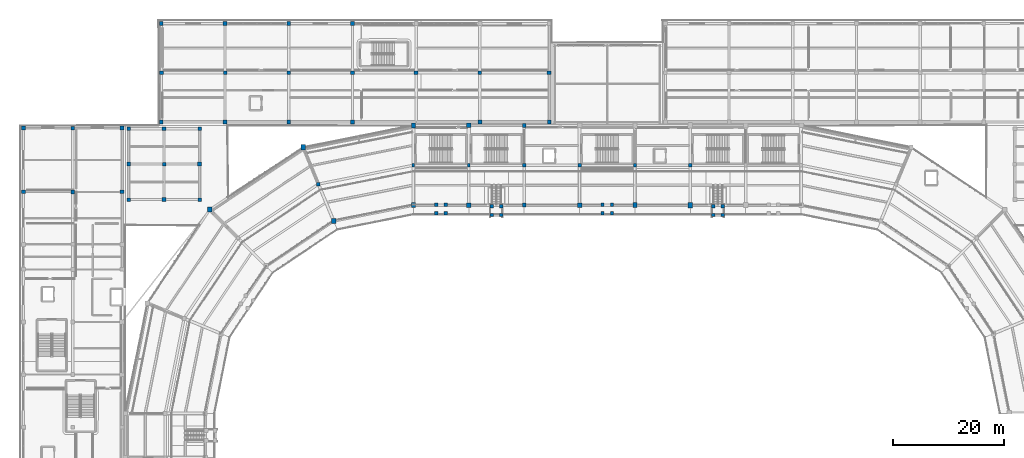
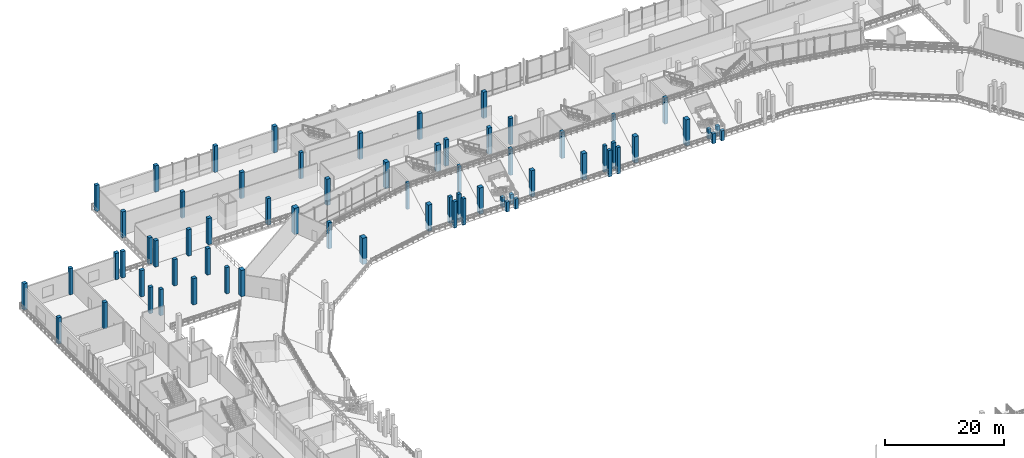
# One storey, part 6 of 127: 67 columns.
"""IFC4 building model written with IfcOpenShell, lengths in metres."""

from ifc_helpers import new_model, si_unit, direction, frame, origin, origin_2d, place, context, subcontext, project, spatial, rectangle, extrude, material, material_profile, profile_set, type_object, element, save


model = new_model("IFC4")

# Units and contexts
model_context = context("Model", 3, precision=1e-05, world=origin(), true_north=direction((0.0, 1.0)))
body_context = subcontext(model_context, "Body", "Model", "MODEL_VIEW")
ifc_project = project(units=[si_unit("LENGTHUNIT", "METRE"), si_unit("AREAUNIT", "SQUARE_METRE"), si_unit("VOLUMEUNIT", "CUBIC_METRE"), si_unit("PLANEANGLEUNIT", "RADIAN"), si_unit("MASSUNIT", "GRAM", prefix="KILO")], contexts=[model_context])

# Site, building, storey
site_placement = place(None, origin())
site = spatial("IfcSite", under=ifc_project, at=site_placement, CompositionType="ELEMENT")
building_placement = place(site_placement, origin())
building = spatial("IfcBuilding", under=site, at=building_placement, Name="Candeia Ridge Stadium", CompositionType="ELEMENT")
storey_placement = place(building_placement, frame((0.0, 0.0, 10.800048828125)))
storey = spatial("IfcBuildingStorey", under=building, at=storey_placement, Name="L02", CompositionType="ELEMENT", Elevation=10.800048828125)

# Columns
ifc_material_1 = material(Name="Concrete C45/55", Category="concrete")
ifc_material_profile_1 = material_profile(ifc_material_1, rectangle(XDim=0.800048828125, YDim=0.800048828125, at=origin_2d()), Name="RC800x800", Category="concrete")
ifc_profile_set_1 = profile_set([ifc_material_profile_1], Name="Concrete C45/55")
column_type_1 = type_object("IfcColumnType", Name="Bowl Column RC800x800", PredefinedType="COLUMN", material=ifc_profile_set_1)
for number, where, z_axis, x_axis, name in (
    (1, (101.0, 132.60009765625, 0.0), (0.0, 0.0, 1.0), (1.0, 0.0, 0.0), "Structural column BC-MD-04 L02"),
    (2, (81.0, 132.60009765625, 0.0), (0.0, 0.0, 1.0), (1.0, 0.0, 0.0), "Structural column BC-MD-06 L02"),
    (3, (81.0, 147.0, 0.0), (0.0, 0.0, 1.0), (1.0, 0.0, 0.0), "Structural column BC-OU-06 L02"),
):
    element("IfcColumn", number, at=place(storey_placement, frame(where, z_axis=z_axis, x_axis=x_axis)), inside=storey, type_object=column_type_1, Name=name, PredefinedType="COLUMN", context=body_context, shape_type="SweptSolid", body=[
        extrude(rectangle(XDim=0.800048828125, YDim=0.800048828125, at=origin_2d()), origin(), (0.0, 0.0, 1.0), 5.39990234375),
    ])
ifc_material_2 = material(Name="Concrete C40/50", Category="concrete")
ifc_material_profile_2 = material_profile(ifc_material_2, rectangle(XDim=0.47998046875, YDim=0.56005859375, at=origin_2d()), Name="RC480x560", Category="concrete")
ifc_profile_set_2 = profile_set([ifc_material_profile_2], Name="Concrete C40/50")
column_type_2 = type_object("IfcColumnType", Name="Graduated Frame Column RC480x560", PredefinedType="COLUMN", material=ifc_profile_set_2)
column_1_placement = place(storey_placement, frame((71.0, 139.800048828125, 0.0), z_axis=(0.0, 0.0, 1.0), x_axis=(1.0, 0.0, 0.0)))
element("IfcColumn", 4, at=column_1_placement, inside=storey, type_object=column_type_2, Name="Structural column BC-M2-07 L02", PredefinedType="COLUMN", context=body_context, shape_type="SweptSolid", body=[
    extrude(rectangle(XDim=0.47998046875, YDim=0.56005859375, at=origin_2d()), origin(), (0.0, 0.0, 1.0), 5.39990234375),
])
ifc_material_profile_3 = material_profile(ifc_material_2, rectangle(XDim=0.52001953125, YDim=0.6201171875, at=origin_2d()), Name="RC520x620", Category="concrete")
ifc_profile_set_3 = profile_set([ifc_material_profile_3], Name="Concrete C40/50")
column_type_3 = type_object("IfcColumnType", Name="Graduated Frame Column RC520x620", PredefinedType="COLUMN", material=ifc_profile_set_3)
column_2_placement = place(storey_placement, frame((81.0, 139.800048828125, 0.0), z_axis=(0.0, 0.0, 1.0), x_axis=(1.0, 0.0, 0.0)))
element("IfcColumn", 5, at=column_2_placement, inside=storey, type_object=column_type_3, Name="Structural column BC-M2-06 L02", PredefinedType="COLUMN", context=body_context, shape_type="SweptSolid", body=[
    extrude(rectangle(XDim=0.52001953125, YDim=0.6201171875, at=origin_2d()), origin(), (0.0, 0.0, 1.0), 5.39990234375),
])
ifc_material_profile_4 = material_profile(ifc_material_2, rectangle(XDim=0.580078125, YDim=0.580078125, at=origin_2d()), Name="RC580x580", Category="concrete")
ifc_profile_set_4 = profile_set([ifc_material_profile_4], Name="Concrete C40/50")
column_type_4 = type_object("IfcColumnType", Name="Graduated Frame Column RC580x580", PredefinedType="COLUMN", material=ifc_profile_set_4)
column_3_placement = place(storey_placement, frame((111.0, 139.800048828125, 0.0), z_axis=(0.0, 0.0, 1.0), x_axis=(1.0, 0.0, 0.0)))
element("IfcColumn", 6, at=column_3_placement, inside=storey, type_object=column_type_4, Name="Structural column BC-M2-03 L02", PredefinedType="COLUMN", context=body_context, shape_type="SweptSolid", body=[
    extrude(rectangle(XDim=0.580078125, YDim=0.580078125, at=origin_2d()), origin(), (0.0, 0.0, 1.0), 5.39990234375),
])
ifc_material_profile_5 = material_profile(ifc_material_2, rectangle(XDim=0.580078125, YDim=0.679931640625, at=origin_2d()), Name="RC580x680", Category="concrete")
ifc_profile_set_5 = profile_set([ifc_material_profile_5], Name="Concrete C40/50")
column_type_5 = type_object("IfcColumnType", Name="Graduated Frame Column RC580x680", PredefinedType="COLUMN", material=ifc_profile_set_5)
column_4_placement = place(storey_placement, frame((91.0, 139.800048828125, 0.0), z_axis=(0.0, 0.0, 1.0), x_axis=(1.0, 0.0, 0.0)))
element("IfcColumn", 7, at=column_4_placement, inside=storey, type_object=column_type_5, Name="Structural column BC-M2-05 L02", PredefinedType="COLUMN", context=body_context, shape_type="SweptSolid", body=[
    extrude(rectangle(XDim=0.580078125, YDim=0.679931640625, at=origin_2d()), origin(), (0.0, 0.0, 1.0), 5.39990234375),
])
ifc_material_profile_6 = material_profile(ifc_material_2, rectangle(XDim=0.6201171875, YDim=0.6201171875, at=origin_2d()), Name="RC620x620", Category="concrete")
ifc_profile_set_6 = profile_set([ifc_material_profile_6], Name="Concrete C40/50")
column_type_6 = type_object("IfcColumnType", Name="Graduated Frame Column RC620x620", PredefinedType="COLUMN", material=ifc_profile_set_6)
for number, where, z_axis, x_axis, name in (
    (8, (121.0, 139.800048828125, 0.0), (0.0, 0.0, 1.0), (1.0, 0.0, 0.0), "Structural column BC-M2-02 L02"),
    (9, (53.855712890625, 136.389892578125, 0.0), (0.0, 0.0, 1.0), (1.0, 0.0, 0.0), "Structural column BC-M2-08 L02"),
):
    element("IfcColumn", number, at=place(storey_placement, frame(where, z_axis=z_axis, x_axis=x_axis)), inside=storey, type_object=column_type_6, Name=name, PredefinedType="COLUMN", context=body_context, shape_type="SweptSolid", body=[
        extrude(rectangle(XDim=0.6201171875, YDim=0.6201171875, at=origin_2d()), origin(), (0.0, 0.0, 1.0), 5.39990234375),
    ])
ifc_material_profile_7 = material_profile(ifc_material_2, rectangle(XDim=0.6201171875, YDim=0.719970703125, at=origin_2d()), Name="RC620x720", Category="concrete")
ifc_profile_set_7 = profile_set([ifc_material_profile_7], Name="Concrete C40/50")
column_type_7 = type_object("IfcColumnType", Name="Graduated Frame Column RC620x720", PredefinedType="COLUMN", material=ifc_profile_set_7)
column_5_placement = place(storey_placement, frame((101.0, 139.800048828125, 0.0), z_axis=(0.0, 0.0, 1.0), x_axis=(1.0, 0.0, 0.0)))
element("IfcColumn", 10, at=column_5_placement, inside=storey, type_object=column_type_7, Name="Structural column BC-M2-04 L02", PredefinedType="COLUMN", context=body_context, shape_type="SweptSolid", body=[
    extrude(rectangle(XDim=0.6201171875, YDim=0.719970703125, at=origin_2d()), origin(), (0.0, 0.0, 1.0), 5.39990234375),
])
ifc_material_profile_8 = material_profile(ifc_material_2, rectangle(XDim=0.679931640625, YDim=0.760009765625, at=origin_2d()), Name="RC680x760", Category="concrete")
ifc_profile_set_8 = profile_set([ifc_material_profile_8], Name="Concrete C40/50")
column_type_8 = type_object("IfcColumnType", Name="Graduated Frame Column RC680x760", PredefinedType="COLUMN", material=ifc_profile_set_8)
for number, where, z_axis, x_axis, name in (
    (11, (91.0, 132.60009765625, 0.0), (0.0, 0.0, 1.0), (1.0, 0.0, 0.0), "Structural column BC-MD-05 L02"),
    (12, (91.0, 147.0, 0.0), (0.0, 0.0, 1.0), (1.0, 0.0, 0.0), "Structural column BC-OU-05 L02"),
):
    element("IfcColumn", number, at=place(storey_placement, frame(where, z_axis=z_axis, x_axis=x_axis)), inside=storey, type_object=column_type_8, Name=name, PredefinedType="COLUMN", context=body_context, shape_type="SweptSolid", body=[
        extrude(rectangle(XDim=0.679931640625, YDim=0.760009765625, at=origin_2d()), origin(), (0.0, 0.0, 1.0), 5.39990234375),
    ])
ifc_material_profile_9 = material_profile(ifc_material_1, rectangle(XDim=0.820068359375, YDim=0.949951171875, at=origin_2d()), Name="RC820x950", Category="concrete")
ifc_profile_set_9 = profile_set([ifc_material_profile_9], Name="Concrete C45/55")
column_type_9 = type_object("IfcColumnType", Name="Graduated Frame Column RC820x950", PredefinedType="COLUMN", material=ifc_profile_set_9)
for number, where, z_axis, x_axis, name in (
    (13, (121.0, 132.60009765625, 0.0), (0.0, 0.0, 1.0), (1.0, 0.0, 0.0), "Structural column BC-MD-02 L02"),
    (14, (56.611083984375, 129.73779296875, 0.0), (0.0, 0.0, 1.0), (1.0, 0.0, 0.0), "Structural column BC-MD-08 L02"),
    (15, (51.100341796875, 143.041748046875, 0.0), (0.0, 0.0, 1.0), (1.0, 0.0, 0.0), "Structural column BC-OU-08 L02"),
):
    element("IfcColumn", number, at=place(storey_placement, frame(where, z_axis=z_axis, x_axis=x_axis)), inside=storey, type_object=column_type_9, Name=name, PredefinedType="COLUMN", context=body_context, shape_type="SweptSolid", body=[
        extrude(rectangle(XDim=0.820068359375, YDim=0.949951171875, at=origin_2d()), origin(), (0.0, 0.0, 1.0), 5.39990234375),
    ])
ifc_material_profile_10 = material_profile(ifc_material_2, rectangle(XDim=0.64990234375, YDim=0.64990234375, at=origin_2d()), Name="RC650x650", Category="concrete")
ifc_profile_set_10 = profile_set([ifc_material_profile_10], Name="Concrete C40/50")
column_type_10 = type_object("IfcColumnType", Name="Reinforced Concrete Column RC650x650", PredefinedType="COLUMN", material=ifc_profile_set_10)
for number, where, z_axis, x_axis, name in (
    (16, (0.60009765625, 135.0, 0.0), (0.0, 0.0, 1.0), (1.0, 0.0, 0.0), "Structural column WP-00-13 L02"),
    (17, (9.5, 146.5, 0.0), (0.0, 0.0, 1.0), (1.0, 0.0, 0.0), "Structural column WP-01-14 L02"),
    (18, (18.39990234375, 135.0, 0.0), (0.0, 0.0, 1.0), (1.0, 0.0, 0.0), "Structural column WP-02-13 L02"),
    (19, (25.5, 147.60009765625, 0.0), (0.0, 0.0, 1.0), (1.0, 0.0, 0.0), "Structural column NWW-00-00 L02"),
    (20, (25.5, 165.39990234375, 0.0), (0.0, 0.0, 1.0), (1.0, 0.0, 0.0), "Structural column NWW-00-02 L02"),
    (21, (37.0, 156.5, 0.0), (0.0, 0.0, 1.0), (1.0, 0.0, 0.0), "Structural column NWW-01-01 L02"),
    (22, (48.5, 147.60009765625, 0.0), (0.0, 0.0, 1.0), (1.0, 0.0, 0.0), "Structural column NWW-02-00 L02"),
    (23, (48.5, 165.39990234375, 0.0), (0.0, 0.0, 1.0), (1.0, 0.0, 0.0), "Structural column NWW-02-02 L02"),
    (24, (60.0, 156.5, 0.0), (0.0, 0.0, 1.0), (1.0, 0.0, 0.0), "Structural column NWW-03-01 L02"),
    (25, (83.0, 156.5, 0.0), (0.0, 0.0, 1.0), (1.0, 0.0, 0.0), "Structural column NWW-05-01 L02"),
    (26, (95.5, 147.60009765625, 0.0), (0.0, 0.0, 1.0), (1.0, 0.0, 0.0), "Structural column NWW-06-00 L02"),
    (27, (19.60009765625, 133.60009765625, 0.0), (0.0, 0.0, 1.0), (1.0, 0.0, 0.0), "Structural column SPNW-00-00 L02"),
    (28, (19.60009765625, 146.39990234375, 0.0), (0.0, 0.0, 1.0), (1.0, 0.0, 0.0), "Structural column SPNW-00-02 L02"),
    (29, (26.0, 140.0, 0.0), (0.0, 0.0, 1.0), (1.0, 0.0, 0.0), "Structural column SPNW-01-01 L02"),
    (30, (32.39990234375, 133.60009765625, 0.0), (0.0, 0.0, 1.0), (1.0, 0.0, 0.0), "Structural column SPNW-02-00 L02"),
    (31, (32.39990234375, 146.39990234375, 0.0), (0.0, 0.0, 1.0), (1.0, 0.0, 0.0), "Structural column SPNW-02-02 L02"),
):
    element("IfcColumn", number, at=place(storey_placement, frame(where, z_axis=z_axis, x_axis=x_axis)), inside=storey, type_object=column_type_10, Name=name, PredefinedType="COLUMN", context=body_context, shape_type="SweptSolid", body=[
        extrude(rectangle(XDim=0.64990234375, YDim=0.64990234375, at=origin_2d()), origin(), (0.0, 0.0, 1.0), 5.39990234375),
    ])
ifc_material_profile_11 = material_profile(ifc_material_1, rectangle(XDim=0.75, YDim=0.89990234375, at=origin_2d()), Name="RC750x900", Category="concrete")
ifc_profile_set_11 = profile_set([ifc_material_profile_11], Name="Concrete C45/55")
column_type_11 = type_object("IfcColumnType", Name="Reinforced Concrete Column RC750x900", PredefinedType="COLUMN", material=ifc_profile_set_11)
for number, where, z_axis, x_axis, name in (
    (32, (111.0, 132.60009765625, 0.0), (0.0, 0.0, 1.0), (1.0, 0.0, 0.0), "Structural column BC-MD-03 L02"),
    (33, (71.0, 132.60009765625, 0.0), (0.0, 0.0, 1.0), (1.0, 0.0, 0.0), "Structural column BC-MD-07 L02"),
    (34, (71.0, 147.0, 0.0), (0.0, 0.0, 1.0), (1.0, 0.0, 0.0), "Structural column BC-OU-07 L02"),
    (35, (34.23046875, 131.76953125, 0.0), (0.0, 0.0, 1.0), (1.0, 0.0, 0.0), "Structural column BC-OU-09 L02"),
):
    element("IfcColumn", number, at=place(storey_placement, frame(where, z_axis=z_axis, x_axis=x_axis)), inside=storey, type_object=column_type_11, Name=name, PredefinedType="COLUMN", context=body_context, shape_type="SweptSolid", body=[
        extrude(rectangle(XDim=0.75, YDim=0.89990234375, at=origin_2d()), origin(), (0.0, 0.0, 1.0), 5.39990234375),
    ])
ifc_material_profile_12 = material_profile(ifc_material_2, rectangle(XDim=0.60009765625, YDim=0.60009765625, at=origin_2d()), Name="RC600x600", Category="concrete")
ifc_profile_set_12 = profile_set([ifc_material_profile_12], Name="Concrete C40/50")
column_type_12 = type_object("IfcColumnType", Name="Wing Column RC600x600", PredefinedType="COLUMN", material=ifc_profile_set_12)
for number, where, z_axis, x_axis, name in (
    (36, (125.14990234375, 132.3701171875, 0.0), (0.0, 0.0, 1.0), (1.0, 0.0, 0.0), "Vomitory VS19 landing support column 1 L02"),
    (37, (125.14990234375, 130.820068359375, 0.0), (0.0, 0.0, 1.0), (1.0, 0.0, 0.0), "Vomitory VS19 landing support column 2 L02"),
    (38, (126.85009765625, 130.820068359375, 0.0), (0.0, 0.0, 1.0), (1.0, 0.0, 0.0), "Vomitory VS19 landing support column 3 L02"),
    (39, (126.85009765625, 132.3701171875, 0.0), (0.0, 0.0, 1.0), (1.0, 0.0, 0.0), "Vomitory VS19 landing support column 4 L02"),
    (40, (85.14990234375, 132.3701171875, 0.0), (0.0, 0.0, 1.0), (1.0, 0.0, 0.0), "Vomitory VS20 landing support column 1 L02"),
    (41, (85.14990234375, 130.820068359375, 0.0), (0.0, 0.0, 1.0), (1.0, 0.0, 0.0), "Vomitory VS20 landing support column 2 L02"),
    (42, (86.85009765625, 130.820068359375, 0.0), (0.0, 0.0, 1.0), (1.0, 0.0, 0.0), "Vomitory VS20 landing support column 3 L02"),
    (43, (86.85009765625, 132.3701171875, 0.0), (0.0, 0.0, 1.0), (1.0, 0.0, 0.0), "Vomitory VS20 landing support column 4 L02"),
):
    element("IfcColumn", number, at=place(storey_placement, frame(where, z_axis=z_axis, x_axis=x_axis)), inside=storey, type_object=column_type_12, Name=name, PredefinedType="COLUMN", context=body_context, shape_type="SweptSolid", body=[
        extrude(rectangle(XDim=0.60009765625, YDim=0.60009765625, at=origin_2d()), origin(), (0.0, 0.0, 1.0), 2.0400390625),
    ])
for number, where, z_axis, x_axis, name in (
    (44, (105.14990234375, 132.681884765625, 0.0), (0.0, 0.0, 1.0), (1.0, 0.0, 0.0), "Vomitory VS26 landing support column 1 L02"),
    (45, (105.14990234375, 131.132080078125, 0.0), (0.0, 0.0, 1.0), (1.0, 0.0, 0.0), "Vomitory VS26 landing support column 2 L02"),
    (46, (106.85009765625, 131.132080078125, 0.0), (0.0, 0.0, 1.0), (1.0, 0.0, 0.0), "Vomitory VS26 landing support column 3 L02"),
    (47, (106.85009765625, 132.681884765625, 0.0), (0.0, 0.0, 1.0), (1.0, 0.0, 0.0), "Vomitory VS26 landing support column 4 L02"),
    (48, (75.14990234375, 132.681884765625, 0.0), (0.0, 0.0, 1.0), (1.0, 0.0, 0.0), "Vomitory VS27 landing support column 1 L02"),
    (49, (75.14990234375, 131.132080078125, 0.0), (0.0, 0.0, 1.0), (1.0, 0.0, 0.0), "Vomitory VS27 landing support column 2 L02"),
    (50, (76.85009765625, 131.132080078125, 0.0), (0.0, 0.0, 1.0), (1.0, 0.0, 0.0), "Vomitory VS27 landing support column 3 L02"),
    (51, (76.85009765625, 132.681884765625, 0.0), (0.0, 0.0, 1.0), (1.0, 0.0, 0.0), "Vomitory VS27 landing support column 4 L02"),
):
    element("IfcColumn", number, at=place(storey_placement, frame(where, z_axis=z_axis, x_axis=x_axis)), inside=storey, type_object=column_type_12, Name=name, PredefinedType="COLUMN", context=body_context, shape_type="SweptSolid", body=[
        extrude(rectangle(XDim=0.60009765625, YDim=0.60009765625, at=origin_2d()), origin(), (0.0, 0.0, 1.0), 5.39990234375),
    ])
ifc_material_profile_13 = material_profile(ifc_material_2, rectangle(XDim=0.699951171875, YDim=0.699951171875, at=origin_2d()), Name="RC700x700", Category="concrete")
ifc_profile_set_13 = profile_set([ifc_material_profile_13], Name="Concrete C40/50")
column_type_13 = type_object("IfcColumnType", Name="Wing Column RC700x700", PredefinedType="COLUMN", material=ifc_profile_set_13)
for number, where, z_axis, x_axis, name in (
    (52, (0.60009765625, 146.5, 0.0), (0.0, 0.0, 1.0), (1.0, 0.0, 0.0), "Structural column WP-00-14 L02"),
    (53, (9.5, 135.0, 0.0), (0.0, 0.0, 1.0), (1.0, 0.0, 0.0), "Structural column WP-01-13 L02"),
    (54, (18.39990234375, 146.5, 0.0), (0.0, 0.0, 1.0), (1.0, 0.0, 0.0), "Structural column WP-02-14 L02"),
    (55, (25.5, 156.5, 0.0), (0.0, 0.0, 1.0), (1.0, 0.0, 0.0), "Structural column NWW-00-01 L02"),
    (56, (37.0, 147.60009765625, 0.0), (0.0, 0.0, 1.0), (1.0, 0.0, 0.0), "Structural column NWW-01-00 L02"),
    (57, (37.0, 165.39990234375, 0.0), (0.0, 0.0, 1.0), (1.0, 0.0, 0.0), "Structural column NWW-01-02 L02"),
    (58, (48.5, 156.5, 0.0), (0.0, 0.0, 1.0), (1.0, 0.0, 0.0), "Structural column NWW-02-01 L02"),
    (59, (60.0, 147.60009765625, 0.0), (0.0, 0.0, 1.0), (1.0, 0.0, 0.0), "Structural column NWW-03-00 L02"),
    (60, (60.0, 165.39990234375, 0.0), (0.0, 0.0, 1.0), (1.0, 0.0, 0.0), "Structural column NWW-03-02 L02"),
    (61, (71.5, 156.5, 0.0), (0.0, 0.0, 1.0), (1.0, 0.0, 0.0), "Structural column NWW-04-01 L02"),
    (62, (83.0, 147.60009765625, 0.0), (0.0, 0.0, 1.0), (1.0, 0.0, 0.0), "Structural column NWW-05-00 L02"),
    (63, (95.5, 156.5, 0.0), (0.0, 0.0, 1.0), (1.0, 0.0, 0.0), "Structural column NWW-06-01 L02"),
    (64, (19.60009765625, 140.0, 0.0), (0.0, 0.0, 1.0), (1.0, 0.0, 0.0), "Structural column SPNW-00-01 L02"),
    (65, (26.0, 133.60009765625, 0.0), (0.0, 0.0, 1.0), (1.0, 0.0, 0.0), "Structural column SPNW-01-00 L02"),
    (66, (26.0, 146.39990234375, 0.0), (0.0, 0.0, 1.0), (1.0, 0.0, 0.0), "Structural column SPNW-01-02 L02"),
    (67, (32.39990234375, 140.0, 0.0), (0.0, 0.0, 1.0), (1.0, 0.0, 0.0), "Structural column SPNW-02-01 L02"),
):
    element("IfcColumn", number, at=place(storey_placement, frame(where, z_axis=z_axis, x_axis=x_axis)), inside=storey, type_object=column_type_13, Name=name, PredefinedType="COLUMN", context=body_context, shape_type="SweptSolid", body=[
        extrude(rectangle(XDim=0.699951171875, YDim=0.699951171875, at=origin_2d()), origin(), (0.0, 0.0, 1.0), 5.39990234375),
    ])

save(model, "model.ifc")
